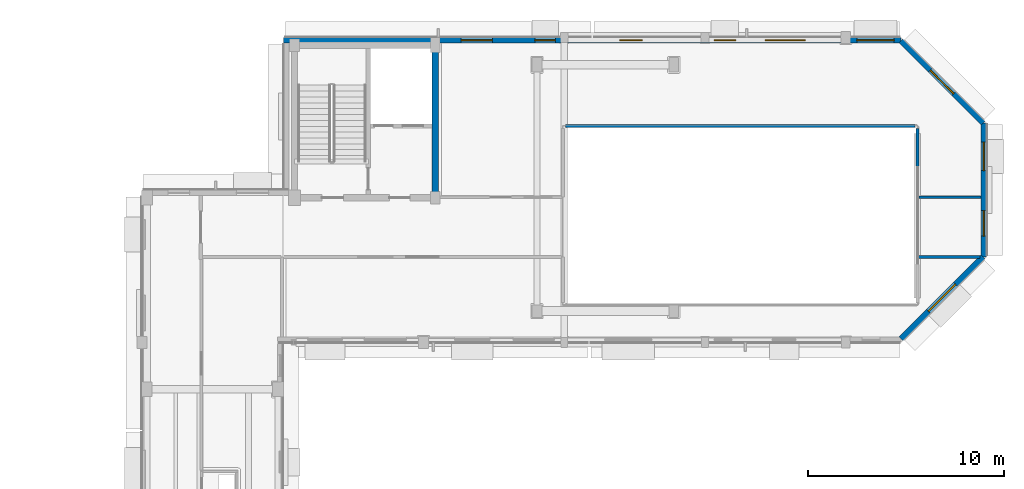
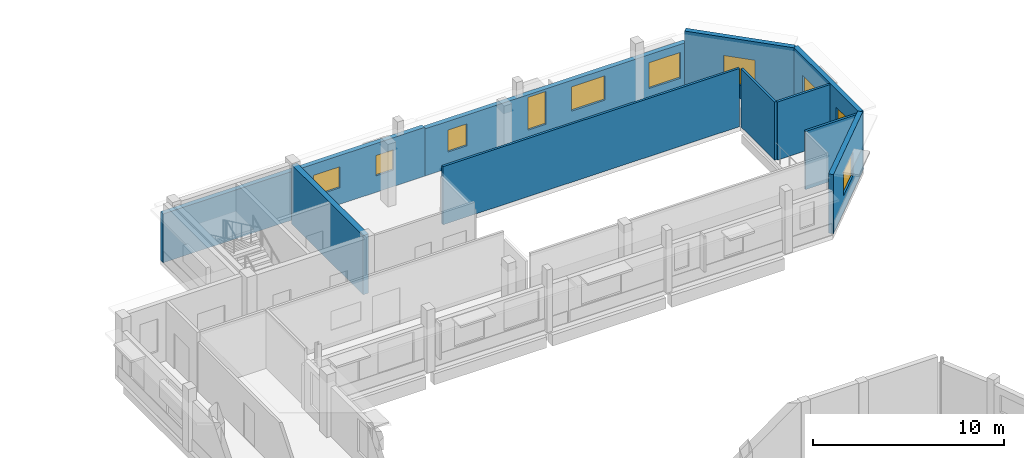
# One storey, part 75 of 89: 10 walls, 10 windows, 10 openings.
"""IFC4 building model written with IfcOpenShell, lengths in metres."""

import ifcopenshell
import ifcopenshell.guid

model = None  # the IFC model being written
_history = None  # IfcOwnerHistory: only IFC2X3 demands one
_inside = {}  # id of a spatial element -> (the spatial element, [elements in it])
_under = {}  # id of a project, library or spatial element -> (it, [spatial elements below it])
_declared = {}  # id of a project -> (the project, [libraries it declares])
_typed = {}  # id of a type object -> (the type object, [elements of that type])
_made_of = {}  # id of a material, layer set ... -> (it, [elements and type objects made of it])


def new_model(schema):
    """Start an empty IFC model of exactly this schema.

    Asked for "IFC4X3", IfcOpenShell would pick the latest addendum, in which some entities
    have other attributes; the version numbers below select the first issue.
    IFC2X3 requires an IfcOwnerHistory on every rooted entity: one is made here for all.
    """
    global model, _history
    if schema == "IFC4X3":
        model = ifcopenshell.file(schema_version=(4, 3, 0, 0))
    else:
        model = ifcopenshell.file(schema=schema)
    _inside.clear()
    _under.clear()
    _declared.clear()
    _typed.clear()
    _made_of.clear()
    _history = None
    if model.schema == "IFC2X3":
        org = make("IfcOrganization", Name="unknown")
        user = make(
            "IfcPersonAndOrganization",
            ThePerson=make("IfcPerson", FamilyName="unknown"),
            TheOrganization=org,
        )
        app = make(
            "IfcApplication",
            ApplicationDeveloper=org,
            Version="unknown",
            ApplicationFullName="unknown",
            ApplicationIdentifier="unknown",
        )
        _history = make(
            "IfcOwnerHistory",
            OwningUser=user,
            OwningApplication=app,
            ChangeAction="ADDED",
            CreationDate=0,
        )
    return model


def make(cls, **values):
    """One entity of the class cls with the attributes given. An attribute that is None is left unset."""
    return model.create_entity(
        cls, **{name: value for name, value in values.items() if value is not None}
    )


def rooted(cls, **values):
    """An entity with a GlobalId (a new one), such as an element, a storey or a relation."""
    return make(cls, GlobalId=ifcopenshell.guid.new(), OwnerHistory=_history, **values)


def si_unit(unit_type, name, prefix=None):
    """IfcSIUnit, for example si_unit("LENGTHUNIT", "METRE", prefix="MILLI")."""
    return make("IfcSIUnit", UnitType=unit_type, Prefix=prefix, Name=name)


def assignment(units):
    """IfcUnitAssignment: the units of a project."""
    return None if units is None else make("IfcUnitAssignment", Units=units)


def point(xyz):
    """IfcCartesianPoint."""
    return None if xyz is None else make("IfcCartesianPoint", Coordinates=xyz)


def direction(xyz):
    """IfcDirection."""
    return None if xyz is None else make("IfcDirection", DirectionRatios=xyz)


def frame(location, z_axis=None, x_axis=None):
    """IfcAxis2Placement3D, a coordinate frame: its origin and axes. An axis left out is left unset."""
    return make(
        "IfcAxis2Placement3D",
        Location=point(location),
        Axis=direction(z_axis),
        RefDirection=direction(x_axis),
    )


def frame_2d(location, x_axis=None):
    """IfcAxis2Placement2D, a coordinate frame in the plane: its origin and x axis."""
    return make(
        "IfcAxis2Placement2D", Location=point(location), RefDirection=direction(x_axis)
    )


def origin():
    """The frame at (0, 0, 0) with its axes left unset."""
    return frame((0.0, 0.0, 0.0))


def place(relative_to, where):
    """IfcLocalPlacement: puts the frame where relative to a parent placement (None: the world)."""
    return make(
        "IfcLocalPlacement", PlacementRelTo=relative_to, RelativePlacement=where
    )


def context(
    kind, dimensions, precision=None, world=None, true_north=None, identifier=None
):
    """IfcGeometricRepresentationContext, for example the 3D "Model" context."""
    return make(
        "IfcGeometricRepresentationContext",
        ContextIdentifier=identifier,
        ContextType=kind,
        CoordinateSpaceDimension=dimensions,
        Precision=precision,
        WorldCoordinateSystem=world,
        TrueNorth=true_north,
    )


def subcontext(parent, identifier, kind, view, scale=None):
    """IfcGeometricRepresentationSubContext, for example "Body" below "Model"."""
    return make(
        "IfcGeometricRepresentationSubContext",
        ContextIdentifier=identifier,
        ContextType=kind,
        ParentContext=parent,
        TargetScale=scale,
        TargetView=view,
    )


def project(units=None, contexts=None):
    """IfcProject with its units and contexts."""
    return rooted(
        "IfcProject",
        Name="project",
        RepresentationContexts=contexts,
        UnitsInContext=assignment(units),
    )


def spatial(cls, under=None, at=None, **own):
    """A site, building, storey or space (cls), placed at a placement, below another one or the project."""
    s = rooted(cls, ObjectPlacement=at, **own)
    if under is not None:
        _under.setdefault(under.id(), (under, []))[1].append(s)
    return s


def profile(cls, at=None, kind="AREA", **sizes):
    """A parametric profile (cls). Its sizes go by their IFC names, for example OverallWidth=200.0."""
    return make(cls, ProfileType=kind, Position=at, **sizes)


def rectangle(**sizes):
    """IfcRectangleProfileDef."""
    return profile("IfcRectangleProfileDef", **sizes)


def extrude(swept, where, along, depth):
    """IfcExtrudedAreaSolid: the profile swept, set in the frame where, extruded along a direction by depth."""
    return make(
        "IfcExtrudedAreaSolid",
        SweptArea=swept,
        Position=where,
        ExtrudedDirection=direction(along),
        Depth=depth,
    )


def shape(context_of_items, identifier, shape_type, items):
    """IfcShapeRepresentation: the items that make up one representation, for example the "Body"."""
    return make(
        "IfcShapeRepresentation",
        ContextOfItems=context_of_items,
        RepresentationIdentifier=identifier,
        RepresentationType=shape_type,
        Items=items,
    )


def material(Name=None, Category=None):
    """IfcMaterial."""
    return make("IfcMaterial", Name=Name, Category=Category)


def layer(
    of_material, thickness, ventilated=None, Name=None, Category=None, Priority=None
):
    """IfcMaterialLayer: one layer of a wall or slab, of a material (None: an air gap)."""
    return make(
        "IfcMaterialLayer",
        Material=of_material,
        LayerThickness=thickness,
        IsVentilated=ventilated,
        Name=Name,
        Category=Category,
        Priority=Priority,
    )


def layer_set(layers, Name=None):
    """IfcMaterialLayerSet."""
    return make("IfcMaterialLayerSet", MaterialLayers=layers, LayerSetName=Name)


def made_of(thing, what):
    """Note that an element or type object is made of a material, layer set ...; save() writes the relation."""
    if what is not None:
        _made_of.setdefault(what.id(), (what, []))[1].append(thing)
    return thing


def type_object(cls, material=None, **own):
    """A type object (cls), such as IfcWallType, which elements share."""
    return made_of(rooted(cls, **own), material)


def element(
    cls,
    number,
    at=None,
    inside=None,
    cuts=None,
    type_object=None,
    material=None,
    context=None,
    identifier="Body",
    shape_type=None,
    held_by="IfcProductDefinitionShape",
    body=None,
    shapes=None,
    **own,
):
    """One element of the class cls, such as IfcWall. Its Tag is "e" and its number.

    at: its placement. inside: the storey or other place that contains it. cuts: it is an
    opening in that element (IfcRelVoidsElement). A single representation is given by context,
    identifier, shape_type and body (its items); several are given by shapes. held_by: the class
    of the entity that holds the representations. save() writes the other relations.
    """
    e = rooted(cls, Tag="e%d" % number, ObjectPlacement=at, **own)
    if body is not None:
        shapes = [shape(context, identifier, shape_type, body)]
    if shapes is not None:
        e.Representation = make(held_by, Representations=shapes)
    if inside is not None:
        _inside.setdefault(inside.id(), (inside, []))[1].append(e)
    if cuts is not None:
        rooted(
            "IfcRelVoidsElement", RelatingBuildingElement=cuts, RelatedOpeningElement=e
        )
    if type_object is not None:
        _typed.setdefault(type_object.id(), (type_object, []))[1].append(e)
    return made_of(e, material)


def fill(opening, filler):
    """IfcRelFillsElement: the door or window that sits in an opening."""
    return rooted(
        "IfcRelFillsElement",
        RelatingOpeningElement=opening,
        RelatedBuildingElement=filler,
    )


def aggregate(whole, parts):
    """IfcRelAggregates: a whole, such as a stair, and the parts it consists of."""
    return rooted("IfcRelAggregates", RelatingObject=whole, RelatedObjects=parts)


def save(model, path):
    """Write the relations noted so far, then the file.

    IfcRelAggregates (storeys below a building ...), IfcRelContainedInSpatialStructure (elements
    in a storey), IfcRelDefinesByType, IfcRelAssociatesMaterial and IfcRelDeclares: one each for
    every whole, place, type object, material and project.
    """
    for whole, parts in _under.values():
        aggregate(whole, parts)
    for where, things in _inside.values():
        rooted(
            "IfcRelContainedInSpatialStructure",
            RelatedElements=things,
            RelatingStructure=where,
        )
    for kind, things in _typed.values():
        rooted("IfcRelDefinesByType", RelatedObjects=things, RelatingType=kind)
    for what, things in _made_of.values():
        rooted("IfcRelAssociatesMaterial", RelatedObjects=things, RelatingMaterial=what)
    for by, libraries in _declared.values():
        rooted("IfcRelDeclares", RelatingContext=by, RelatedDefinitions=libraries)
    model.write(path)


model = new_model("IFC4")

# Units and contexts
model_context = context("Model", 3, precision=1e-05, world=origin(), true_north=direction((0.0, 1.0)))
body_context = subcontext(model_context, "Body", "Model", "MODEL_VIEW")
ifc_project = project(units=[si_unit("LENGTHUNIT", "METRE"), si_unit("AREAUNIT", "SQUARE_METRE"), si_unit("VOLUMEUNIT", "CUBIC_METRE"), si_unit("PLANEANGLEUNIT", "RADIAN"), si_unit("MASSUNIT", "GRAM", prefix="KILO")], contexts=[model_context])

# Site, building, storey
site_placement = place(None, origin())
site = spatial("IfcSite", under=ifc_project, at=site_placement, CompositionType="ELEMENT")
building_placement = place(site_placement, origin())
building = spatial("IfcBuilding", under=site, at=building_placement, Name="Kelanivale Promenade Academy", CompositionType="ELEMENT")
storey_placement = place(building_placement, frame((0.0, 0.0, 12.199951171875)))
storey = spatial("IfcBuildingStorey", under=building, at=storey_placement, Name="L03", CompositionType="ELEMENT", Elevation=12.199951171875)

# Wall
ifc_material_1 = material(Name="Concrete C40/50", Category="concrete")
ifc_layer_1 = layer(ifc_material_1, 0.330078125)
ifc_layer_set_1 = layer_set([ifc_layer_1], Name="Concrete C40/50")
wall_type_1 = type_object("IfcWallType", Name="CW-S1 Wall 330mm", PredefinedType="SHEAR", material=ifc_layer_set_1)
wall_1_placement = place(storey_placement, frame((130.60009765625, 103.965087890625, 0.0), z_axis=(0.0, 0.0, 1.0), x_axis=(0.0, 1.0, 0.0)))
element("IfcWall", 1, at=wall_1_placement, inside=storey, type_object=wall_type_1, Name="CORE-5 RC shear wall E L03", PredefinedType="SHEAR", context=body_context, shape_type="SweptSolid", body=[
    extrude(rectangle(XDim=7.469970703125, YDim=0.330078125, at=frame_2d((3.73486328125, 0.0))), origin(), (0.0, 0.0, 1.0), 3.780029296875),
])

# Wall, opening, window
ifc_material_2 = material(Name="Insulated ivory stucco masonry wall 280 mm", Category="masonry")
ifc_layer_2 = layer(ifc_material_2, 0.280029296875)
ifc_layer_set_2 = layer_set([ifc_layer_2], Name="Insulated ivory stucco masonry wall 280 mm")
wall_type_2 = type_object("IfcWallType", Name="EW-02 Wall 280mm", PredefinedType="SOLIDWALL", material=ifc_layer_set_2)
wall_2_placement = place(storey_placement, frame((154.4189453125, 96.583984375, 0.0), z_axis=(0.0, 0.0, 1.0), x_axis=(0.707106781187, 0.707106781187, 0.0)))
wall_2 = element("IfcWall", 2, at=wall_2_placement, inside=storey, type_object=wall_type_2, Name="L03 exterior facade wall EW-L03-ORT-0477", PredefinedType="SOLIDWALL", context=body_context, shape_type="SweptSolid", body=[
    extrude(rectangle(XDim=5.935546875, YDim=0.280029296875, at=frame_2d((2.9677734375, 0.0))), origin(), (0.0, 0.0, 1.0), 3.780029296875),
])
opening_1_placement = place(wall_2_placement, frame((1.992919921875, 0.0, 1.050048828125)))
opening_1 = element("IfcOpeningElement", 3, at=opening_1_placement, cuts=wall_2, Name="Opening WT-22", PredefinedType="OPENING", context=body_context, shape_type="SweptSolid", body=[
    extrude(rectangle(XDim=1.949951171875, YDim=1.5, at=frame_2d((0.97509765625, 0.75))), frame((0.0, 0.14990234375, 0.0), z_axis=(0.0, -1.0, 0.0), x_axis=(1.0, 0.0, 0.0)), (0.0, 0.0, 1.0), 0.300048828125),
])
ifc_material_3 = material(Name="Bronze anodised aluminium frame with low-E laminated glass", Category="aluminium")
window_type_1 = type_object("IfcWindowType", Name="WT-22 Window 1950x1500", PartitioningType="SINGLE_PANEL", PredefinedType="WINDOW", material=ifc_material_3)
window_1_placement = place(opening_1_placement, origin())
window_1 = element("IfcWindow", 4, at=window_1_placement, inside=storey, type_object=window_type_1, Name="Window WT-22", OverallHeight=1.5, OverallWidth=1.949951171875, PartitioningType="SINGLE_PANEL", PredefinedType="WINDOW", context=body_context, shape_type="SweptSolid", body=[
    extrude(rectangle(XDim=1.949951171875, YDim=1.5, at=frame_2d((0.97509765625, 0.75))), frame((0.0, 0.030029296875, 0.0), z_axis=(0.0, -1.0, 0.0), x_axis=(1.0, 0.0, 0.0)), (0.0, 0.0, 1.0), 0.06005859375),
])
fill(opening_1, window_1)

# Wall, openings, windows
wall_3_placement = place(storey_placement, frame((158.659912109375, 100.76904296875, 0.0), z_axis=(0.0, 0.0, 1.0), x_axis=(0.0, 1.0, 0.0)))
wall_3 = element("IfcWall", 5, at=wall_3_placement, inside=storey, type_object=wall_type_2, Name="L03 exterior facade wall EW-L03-ORT-0478", PredefinedType="SOLIDWALL", context=body_context, shape_type="SweptSolid", body=[
    extrude(rectangle(XDim=6.862060546875, YDim=0.280029296875, at=frame_2d((3.43115234375, 0.0))), origin(), (0.0, 0.0, 1.0), 3.780029296875),
])
opening_2_placement = place(wall_3_placement, frame((1.06494140625, 0.0, 1.050048828125)))
opening_2 = element("IfcOpeningElement", 6, at=opening_2_placement, cuts=wall_3, Name="Opening WT-23", PredefinedType="OPENING", context=body_context, shape_type="SweptSolid", body=[
    extrude(rectangle(XDim=1.300048828125, YDim=1.60009765625, at=frame_2d((0.64990234375, 0.800048828125))), frame((0.0, 0.14990234375, 0.0), z_axis=(0.0, -1.0, 0.0), x_axis=(1.0, 0.0, 0.0)), (0.0, 0.0, 1.0), 0.300048828125),
])
opening_3_placement = place(wall_3_placement, frame((4.4208984375, 0.0, 0.85009765625)))
opening_3 = element("IfcOpeningElement", 7, at=opening_3_placement, cuts=wall_3, Name="Opening WT-24", PredefinedType="OPENING", context=body_context, shape_type="SweptSolid", body=[
    extrude(rectangle(XDim=1.449951171875, YDim=1.699951171875, at=frame_2d((0.72509765625, 0.85009765625))), frame((0.0, 0.14990234375, 0.0), z_axis=(0.0, -1.0, 0.0), x_axis=(1.0, 0.0, 0.0)), (0.0, 0.0, 1.0), 0.300048828125),
])
window_type_2 = type_object("IfcWindowType", Name="WT-23 Window 1300x1600", PartitioningType="SINGLE_PANEL", PredefinedType="WINDOW", material=ifc_material_3)
window_2_placement = place(opening_2_placement, origin())
window_2 = element("IfcWindow", 8, at=window_2_placement, inside=storey, type_object=window_type_2, Name="Window WT-23", OverallHeight=1.60009765625, OverallWidth=1.300048828125, PartitioningType="SINGLE_PANEL", PredefinedType="WINDOW", context=body_context, shape_type="SweptSolid", body=[
    extrude(rectangle(XDim=1.300048828125, YDim=1.60009765625, at=frame_2d((0.64990234375, 0.800048828125))), frame((0.0, 0.030029296875, 0.0), z_axis=(0.0, -1.0, 0.0), x_axis=(1.0, 0.0, 0.0)), (0.0, 0.0, 1.0), 0.06005859375),
])
fill(opening_2, window_2)
window_type_3 = type_object("IfcWindowType", Name="WT-24 Window 1450x1700", PartitioningType="SINGLE_PANEL", PredefinedType="WINDOW", material=ifc_material_3)
window_3_placement = place(opening_3_placement, origin())
window_3 = element("IfcWindow", 9, at=window_3_placement, inside=storey, type_object=window_type_3, Name="Window WT-24", OverallHeight=1.699951171875, OverallWidth=1.449951171875, PartitioningType="SINGLE_PANEL", PredefinedType="WINDOW", context=body_context, shape_type="SweptSolid", body=[
    extrude(rectangle(XDim=1.449951171875, YDim=1.699951171875, at=frame_2d((0.72509765625, 0.85009765625))), frame((0.0, 0.030029296875, 0.0), z_axis=(0.0, -1.0, 0.0), x_axis=(1.0, 0.0, 0.0)), (0.0, 0.0, 1.0), 0.06005859375),
])
fill(opening_3, window_3)

# Wall, opening, window
wall_4_placement = place(storey_placement, frame((158.615966796875, 107.618896484375, 0.0), z_axis=(0.0, 0.0, 1.0), x_axis=(-0.707106781187, 0.707106781187, 0.0)))
wall_4 = element("IfcWall", 10, at=wall_4_placement, inside=storey, type_object=wall_type_2, Name="L03 exterior facade wall EW-L03-ORT-0479", PredefinedType="SOLIDWALL", context=body_context, shape_type="SweptSolid", body=[
    extrude(rectangle(XDim=5.935546875, YDim=0.280029296875, at=frame_2d((2.9677734375, 0.0))), origin(), (0.0, 0.0, 1.0), 3.780029296875),
])
opening_4_placement = place(wall_4_placement, frame((2.117919921875, 0.0, 0.85009765625)))
opening_4 = element("IfcOpeningElement", 11, at=opening_4_placement, cuts=wall_4, Name="Opening WT-25", PredefinedType="OPENING", context=body_context, shape_type="SweptSolid", body=[
    extrude(rectangle(XDim=1.699951171875, YDim=1.75, at=frame_2d((0.85009765625, 0.875))), frame((0.0, 0.14990234375, 0.0), z_axis=(0.0, -1.0, 0.0), x_axis=(1.0, 0.0, 0.0)), (0.0, 0.0, 1.0), 0.300048828125),
])
window_type_4 = type_object("IfcWindowType", Name="WT-25 Window 1700x1750", PartitioningType="SINGLE_PANEL", PredefinedType="WINDOW", material=ifc_material_3)
window_4_placement = place(opening_4_placement, origin())
window_4 = element("IfcWindow", 12, at=window_4_placement, inside=storey, type_object=window_type_4, Name="Window WT-25", OverallHeight=1.75, OverallWidth=1.699951171875, PartitioningType="SINGLE_PANEL", PredefinedType="WINDOW", context=body_context, shape_type="SweptSolid", body=[
    extrude(rectangle(XDim=1.699951171875, YDim=1.75, at=frame_2d((0.85009765625, 0.875))), frame((0.0, 0.030029296875, 0.0), z_axis=(0.0, -1.0, 0.0), x_axis=(1.0, 0.0, 0.0)), (0.0, 0.0, 1.0), 0.06005859375),
])
fill(opening_4, window_4)

# Wall, openings, windows
wall_5_placement = place(storey_placement, frame((154.430908203125, 111.860107421875, 0.0), z_axis=(0.0, 0.0, 1.0), x_axis=(-1.0, 0.0, 0.0)))
wall_5 = element("IfcWall", 13, at=wall_5_placement, inside=storey, type_object=wall_type_2, Name="L03 exterior facade wall EW-L03-ORT-0480", PredefinedType="SOLIDWALL", context=body_context, shape_type="SweptSolid", body=[
    extrude(rectangle(XDim=15.789794921875, YDim=0.280029296875, at=frame_2d((7.89501953125, 0.0))), origin(), (0.0, 0.0, 1.0), 3.010009765625),
])
opening_5_placement = place(wall_5_placement, frame((0.360107421875, 0.0, 0.85009765625)))
opening_5 = element("IfcOpeningElement", 14, at=opening_5_placement, cuts=wall_5, Name="Opening WT-26", PredefinedType="OPENING", context=body_context, shape_type="SweptSolid", body=[
    extrude(rectangle(XDim=1.89990234375, YDim=1.64990234375, at=frame_2d((0.949951171875, 0.824951171875))), frame((0.0, 0.14990234375, 0.0), z_axis=(0.0, -1.0, 0.0), x_axis=(1.0, 0.0, 0.0)), (0.0, 0.0, 1.0), 0.300048828125),
])
opening_6_placement = place(wall_5_placement, frame((4.89599609375, 0.0, 1.050048828125)))
opening_6 = element("IfcOpeningElement", 15, at=opening_6_placement, cuts=wall_5, Name="Opening WT-27", PredefinedType="OPENING", context=body_context, shape_type="SweptSolid", body=[
    extrude(rectangle(XDim=2.050048828125, YDim=1.550048828125, at=frame_2d((1.02490234375, 0.77490234375))), frame((0.0, 0.14990234375, 0.0), z_axis=(0.0, -1.0, 0.0), x_axis=(1.0, 0.0, 0.0)), (0.0, 0.0, 1.0), 0.300048828125),
])
opening_7_placement = place(wall_5_placement, frame((8.468994140625, 0.0, 0.75)))
opening_7 = element("IfcOpeningElement", 16, at=opening_7_placement, cuts=wall_5, Name="Opening WT-17", PredefinedType="OPENING", context=body_context, shape_type="SweptSolid", body=[
    extrude(rectangle(XDim=1.10009765625, YDim=2.10009765625, at=frame_2d((0.550048828125, 1.050048828125))), frame((0.0, 0.14990234375, 0.0), z_axis=(0.0, -1.0, 0.0), x_axis=(1.0, 0.0, 0.0)), (0.0, 0.0, 1.0), 0.300048828125),
])
opening_8_placement = place(wall_5_placement, frame((13.240966796875, 0.0, 1.050048828125)))
opening_8 = element("IfcOpeningElement", 17, at=opening_8_placement, cuts=wall_5, Name="Opening WT-29", PredefinedType="OPENING", context=body_context, shape_type="SweptSolid", body=[
    extrude(rectangle(XDim=1.14990234375, YDim=1.39990234375, at=frame_2d((0.574951171875, 0.699951171875))), frame((0.0, 0.14990234375, 0.0), z_axis=(0.0, -1.0, 0.0), x_axis=(1.0, 0.0, 0.0)), (0.0, 0.0, 1.0), 0.300048828125),
])
window_type_5 = type_object("IfcWindowType", Name="WT-17 Window 1100x2100", PartitioningType="SINGLE_PANEL", PredefinedType="WINDOW", material=ifc_material_3)
window_5_placement = place(opening_7_placement, origin())
window_5 = element("IfcWindow", 18, at=window_5_placement, inside=storey, type_object=window_type_5, Name="Window WT-17", OverallHeight=2.10009765625, OverallWidth=1.10009765625, PartitioningType="SINGLE_PANEL", PredefinedType="WINDOW", context=body_context, shape_type="SweptSolid", body=[
    extrude(rectangle(XDim=1.10009765625, YDim=2.10009765625, at=frame_2d((0.550048828125, 1.050048828125))), frame((0.0, 0.030029296875, 0.0), z_axis=(0.0, -1.0, 0.0), x_axis=(1.0, 0.0, 0.0)), (0.0, 0.0, 1.0), 0.06005859375),
])
fill(opening_7, window_5)
window_type_6 = type_object("IfcWindowType", Name="WT-26 Window 1900x1650", PartitioningType="SINGLE_PANEL", PredefinedType="WINDOW", material=ifc_material_3)
window_6_placement = place(opening_5_placement, origin())
window_6 = element("IfcWindow", 19, at=window_6_placement, inside=storey, type_object=window_type_6, Name="Window WT-26", OverallHeight=1.64990234375, OverallWidth=1.89990234375, PartitioningType="SINGLE_PANEL", PredefinedType="WINDOW", context=body_context, shape_type="SweptSolid", body=[
    extrude(rectangle(XDim=1.89990234375, YDim=1.64990234375, at=frame_2d((0.949951171875, 0.824951171875))), frame((0.0, 0.030029296875, 0.0), z_axis=(0.0, -1.0, 0.0), x_axis=(1.0, 0.0, 0.0)), (0.0, 0.0, 1.0), 0.06005859375),
])
fill(opening_5, window_6)
window_type_7 = type_object("IfcWindowType", Name="WT-27 Window 2050x1550", PartitioningType="SINGLE_PANEL", PredefinedType="WINDOW", material=ifc_material_3)
window_7_placement = place(opening_6_placement, origin())
window_7 = element("IfcWindow", 20, at=window_7_placement, inside=storey, type_object=window_type_7, Name="Window WT-27", OverallHeight=1.550048828125, OverallWidth=2.050048828125, PartitioningType="SINGLE_PANEL", PredefinedType="WINDOW", context=body_context, shape_type="SweptSolid", body=[
    extrude(rectangle(XDim=2.050048828125, YDim=1.550048828125, at=frame_2d((1.02490234375, 0.77490234375))), frame((0.0, 0.030029296875, 0.0), z_axis=(0.0, -1.0, 0.0), x_axis=(1.0, 0.0, 0.0)), (0.0, 0.0, 1.0), 0.06005859375),
])
fill(opening_6, window_7)
window_type_8 = type_object("IfcWindowType", Name="WT-29 Window 1150x1400", PartitioningType="SINGLE_PANEL", PredefinedType="WINDOW", material=ifc_material_3)
window_8_placement = place(opening_8_placement, origin())
window_8 = element("IfcWindow", 21, at=window_8_placement, inside=storey, type_object=window_type_8, Name="Window WT-29", OverallHeight=1.39990234375, OverallWidth=1.14990234375, PartitioningType="SINGLE_PANEL", PredefinedType="WINDOW", context=body_context, shape_type="SweptSolid", body=[
    extrude(rectangle(XDim=1.14990234375, YDim=1.39990234375, at=frame_2d((0.574951171875, 0.699951171875))), frame((0.0, 0.030029296875, 0.0), z_axis=(0.0, -1.0, 0.0), x_axis=(1.0, 0.0, 0.0)), (0.0, 0.0, 1.0), 0.06005859375),
])
fill(opening_8, window_8)

wall_6_placement = place(storey_placement, frame((138.64111328125, 111.860107421875, 0.0), z_axis=(0.0, 0.0, 1.0), x_axis=(-1.0, 0.0, 0.0)))
wall_6 = element("IfcWall", 22, at=wall_6_placement, inside=storey, type_object=wall_type_2, Name="L03 exterior facade wall EW-L03-ORT-0481", PredefinedType="SOLIDWALL", context=body_context, shape_type="SweptSolid", body=[
    extrude(rectangle(XDim=15.791015625, YDim=0.280029296875, at=frame_2d((7.8955078125, 0.0))), origin(), (0.0, 0.0, 1.0), 3.114990234375),
])
opening_9_placement = place(wall_6_placement, frame((1.89892578125, 0.0, 1.050048828125)))
opening_9 = element("IfcOpeningElement", 23, at=opening_9_placement, cuts=wall_6, Name="Opening WT-30", PredefinedType="OPENING", context=body_context, shape_type="SweptSolid", body=[
    extrude(rectangle(XDim=1.050048828125, YDim=1.300048828125, at=frame_2d((0.52490234375, 0.64990234375))), frame((0.0, 0.14990234375, 0.0), z_axis=(0.0, -1.0, 0.0), x_axis=(1.0, 0.0, 0.0)), (0.0, 0.0, 1.0), 0.300048828125),
])
opening_10_placement = place(wall_6_placement, frame((5.1220703125, 0.0, 1.050048828125)))
opening_10 = element("IfcOpeningElement", 24, at=opening_10_placement, cuts=wall_6, Name="Opening WT-07", PredefinedType="OPENING", context=body_context, shape_type="SweptSolid", body=[
    extrude(rectangle(XDim=1.60009765625, YDim=1.35009765625, at=frame_2d((0.800048828125, 0.675048828125))), frame((0.0, 0.14990234375, 0.0), z_axis=(0.0, -1.0, 0.0), x_axis=(1.0, 0.0, 0.0)), (0.0, 0.0, 1.0), 0.300048828125),
])
window_type_9 = type_object("IfcWindowType", Name="WT-07 Window 1600x1350", PartitioningType="SINGLE_PANEL", PredefinedType="WINDOW", material=ifc_material_3)
window_9_placement = place(opening_10_placement, origin())
window_9 = element("IfcWindow", 25, at=window_9_placement, inside=storey, type_object=window_type_9, Name="Window WT-07", OverallHeight=1.35009765625, OverallWidth=1.60009765625, PartitioningType="SINGLE_PANEL", PredefinedType="WINDOW", context=body_context, shape_type="SweptSolid", body=[
    extrude(rectangle(XDim=1.60009765625, YDim=1.35009765625, at=frame_2d((0.800048828125, 0.675048828125))), frame((0.0, 0.030029296875, 0.0), z_axis=(0.0, -1.0, 0.0), x_axis=(1.0, 0.0, 0.0)), (0.0, 0.0, 1.0), 0.06005859375),
])
fill(opening_10, window_9)
window_type_10 = type_object("IfcWindowType", Name="WT-30 Window 1050x1300", PartitioningType="SINGLE_PANEL", PredefinedType="WINDOW", material=ifc_material_3)
window_10_placement = place(opening_9_placement, origin())
window_10 = element("IfcWindow", 26, at=window_10_placement, inside=storey, type_object=window_type_10, Name="Window WT-30", OverallHeight=1.300048828125, OverallWidth=1.050048828125, PartitioningType="SINGLE_PANEL", PredefinedType="WINDOW", context=body_context, shape_type="SweptSolid", body=[
    extrude(rectangle(XDim=1.050048828125, YDim=1.300048828125, at=frame_2d((0.52490234375, 0.64990234375))), frame((0.0, 0.030029296875, 0.0), z_axis=(0.0, -1.0, 0.0), x_axis=(1.0, 0.0, 0.0)), (0.0, 0.0, 1.0), 0.06005859375),
])
fill(opening_9, window_10)

# Walls
ifc_material_4 = material(Name="Acoustic double-stud gypsum board partition 140 mm", Category="masonry")
ifc_layer_3 = layer(ifc_material_4, 0.139892578125)
ifc_layer_set_3 = layer_set([ifc_layer_3], Name="Acoustic double-stud gypsum board partition 140 mm")
wall_type_3 = type_object("IfcWallType", Name="IW-04 Wall 140mm", PredefinedType="PARTITIONING", material=ifc_layer_set_3)
wall_7_placement = place(storey_placement, frame((158.4560546875, 100.77001953125, 0.0), z_axis=(0.0, 0.0, 1.0), x_axis=(-1.0, 0.0, 0.0)))
element("IfcWall", 27, at=wall_7_placement, inside=storey, type_object=wall_type_3, Name="L03 partition Upper Library Book Stacks", PredefinedType="PARTITIONING", context=body_context, shape_type="SweptSolid", body=[
    extrude(rectangle(XDim=3.18603515625, YDim=0.139892578125, at=frame_2d((1.593017578125, 0.0))), origin(), (0.0, 0.0, 1.0), 3.715087890625),
])
wall_8_placement = place(storey_placement, frame((155.27001953125, 107.35009765625, 0.0), z_axis=(0.0, 0.0, 1.0), x_axis=(0.0, -1.0, 0.0)))
element("IfcWall", 28, at=wall_8_placement, inside=storey, type_object=wall_type_3, Name="L03 partition Library Mezzanine Study Room", PredefinedType="PARTITIONING", context=body_context, shape_type="SweptSolid", body=[
    extrude(rectangle(XDim=3.52001953125, YDim=0.139892578125, at=frame_2d((1.760009765625, 0.0))), origin(), (0.0, 0.0, 1.0), 3.715087890625),
])
wall_9_placement = place(storey_placement, frame((155.337890625, 103.830078125, 0.0), z_axis=(0.0, 0.0, 1.0), x_axis=(1.0, 0.0, 0.0)))
element("IfcWall", 29, at=wall_9_placement, inside=storey, type_object=wall_type_3, Name="L03 partition Library Mezzanine Study Room", PredefinedType="PARTITIONING", context=body_context, shape_type="SweptSolid", body=[
    extrude(rectangle(XDim=3.18408203125, YDim=0.139892578125, at=frame_2d((1.592041015625, 0.0))), origin(), (0.0, 0.0, 1.0), 3.715087890625),
])
wall_10_placement = place(storey_placement, frame((137.25, 107.469970703125, 0.0), z_axis=(0.0, 0.0, 1.0), x_axis=(1.0, 0.0, 0.0)))
element("IfcWall", 30, at=wall_10_placement, inside=storey, type_object=wall_type_3, Name="L03 partition Library Mezzanine Study Room", PredefinedType="PARTITIONING", context=body_context, shape_type="SweptSolid", body=[
    extrude(rectangle(XDim=17.89990234375, YDim=0.139892578125, at=frame_2d((8.949951171875, 0.0))), origin(), (0.0, 0.0, 1.0), 3.715087890625),
])

save(model, "model.ifc")
